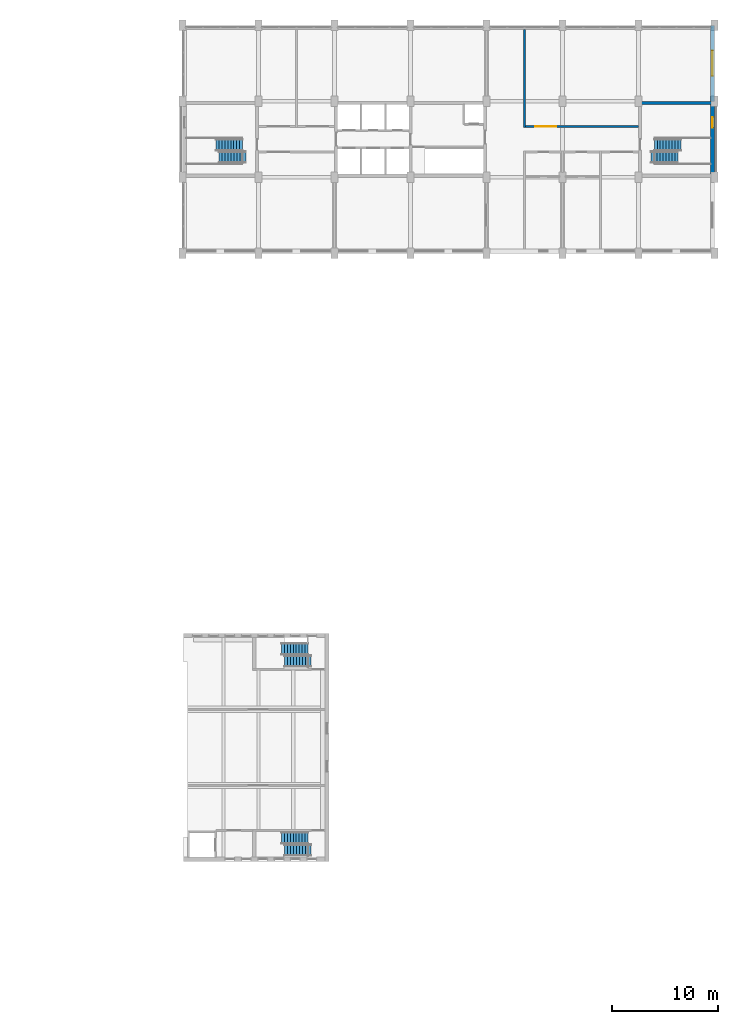
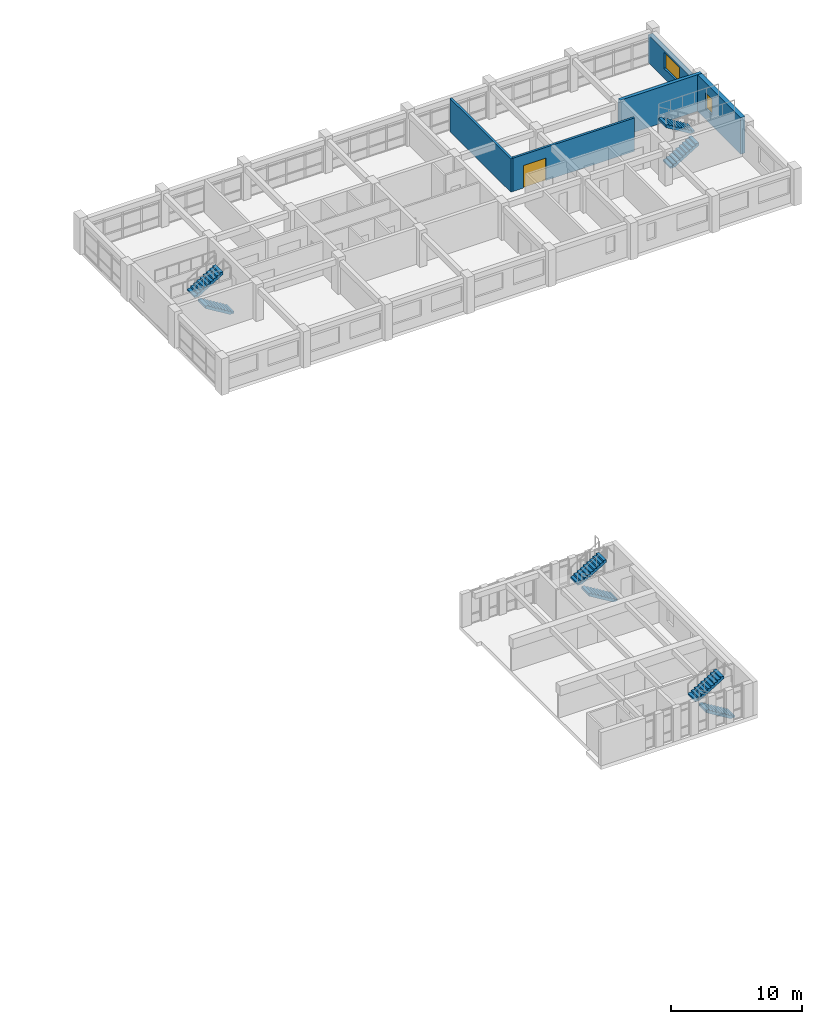
# One storey, part 17 of 19: 8 stair flights, 5 walls, 2 windows, 1 door, 3 openings, 4 elements without a shape of their own.
"""IFC4 building model written with IfcOpenShell, lengths in metres."""

from ifc_helpers import new_model, si_unit, direction, frame, frame_2d, origin, place, context, subcontext, project, spatial, polyline, rectangle, outline, extrude, material, layer, layer_set, type_object, element, fill, aggregate, save


model = new_model("IFC4")

# Units and contexts
model_context = context("Model", 3, precision=1e-05, world=origin(), true_north=direction((0.0, 1.0)))
body_context = subcontext(model_context, "Body", "Model", "MODEL_VIEW")
ifc_project = project(units=[si_unit("LENGTHUNIT", "METRE"), si_unit("AREAUNIT", "SQUARE_METRE"), si_unit("VOLUMEUNIT", "CUBIC_METRE"), si_unit("PLANEANGLEUNIT", "RADIAN"), si_unit("MASSUNIT", "GRAM", prefix="KILO")], contexts=[model_context])

# Site, building, storey
site_placement = place(None, origin())
site = spatial("IfcSite", under=ifc_project, at=site_placement, CompositionType="ELEMENT")
building_placement = place(site_placement, origin())
building = spatial("IfcBuilding", under=site, at=building_placement, Name="Vermilion Court Aquatics Centre", CompositionType="ELEMENT")
storey_placement = place(building_placement, frame((0.0, 0.0, 19.89990234375)))
storey = spatial("IfcBuildingStorey", under=building, at=storey_placement, Name="L04", CompositionType="ELEMENT", Elevation=19.89990234375)

# Wall, opening, window
ifc_material_1 = material(Name="Brick masonry", Category="masonry")
ifc_layer_1 = layer(ifc_material_1, 0.39990234375)
ifc_layer_set_1 = layer_set([ifc_layer_1], Name="North block brick facade wall 400")
wall_type_1 = type_object("IfcWallType", Name="North block brick facade wall 400", PredefinedType="SOLIDWALL", material=ifc_layer_set_1)
wall_1_placement = place(storey_placement, frame((194.199951171875, 108.0, 0.0), z_axis=(0.0, 0.0, 1.0), x_axis=(0.0, 1.0, 0.0)))
wall_1 = element("IfcWall", 1, at=wall_1_placement, inside=storey, type_object=wall_type_1, Name="Brick facade wall E2 L04", PredefinedType="SOLIDWALL", context=body_context, shape_type="SweptSolid", body=[
    extrude(rectangle(XDim=7.199951171875, YDim=0.39990234375, at=frame_2d((3.60009765625, 0.0))), origin(), (0.0, 0.0, 1.0), 2.60009765625),
])
opening_1_placement = place(wall_1_placement, frame((2.39990234375, 0.0, 0.89990234375)))
opening_1 = element("IfcOpeningElement", 2, at=opening_1_placement, cuts=wall_1, Name="Opening UWN3", PredefinedType="OPENING", context=body_context, shape_type="SweptSolid", body=[
    extrude(rectangle(XDim=2.39990234375, YDim=1.5, at=frame_2d((1.199951171875, 0.75))), frame((0.0, 0.2099609375, 0.0), z_axis=(0.0, -1.0, 0.0), x_axis=(1.0, 0.0, 0.0)), (0.0, 0.0, 1.0), 0.419921875),
])
ifc_material_2 = material(Name="Aluminium 6063-T5", Category="aluminium")
window_type_1 = type_object("IfcWindowType", Name="North block corner window 2400x1500", PartitioningType="DOUBLE_PANEL_VERTICAL", PredefinedType="WINDOW", material=ifc_material_2)
window_1_placement = place(opening_1_placement, origin())
window_1 = element("IfcWindow", 3, at=window_1_placement, inside=storey, type_object=window_type_1, Name="End window NE", OverallHeight=1.5, OverallWidth=2.39990234375, PartitioningType="DOUBLE_PANEL_VERTICAL", PredefinedType="WINDOW", context=body_context, shape_type="SweptSolid", body=[
    extrude(rectangle(XDim=2.39990234375, YDim=1.5, at=frame_2d((1.199951171875, 0.75))), frame((0.0, 0.030029296875, 0.0), z_axis=(0.0, -1.0, 0.0), x_axis=(1.0, 0.0, 0.0)), (0.0, 0.0, 1.0), 0.06005859375),
])
fill(opening_1, window_1)

ifc_material_3 = material(Name="Concrete 8000 psi", Category="concrete")
ifc_layer_2 = layer(ifc_material_3, 0.39990234375)
ifc_layer_set_2 = layer_set([ifc_layer_2], Name="North block core brick-faced shear wall 400")
wall_type_2 = type_object("IfcWallType", Name="North block core brick-faced shear wall 400", PredefinedType="SHEAR", material=ifc_layer_set_2)
wall_2_placement = place(storey_placement, frame((194.199951171875, 101.10009765625, 0.0), z_axis=(0.0, 0.0, 1.0), x_axis=(0.0, 1.0, 0.0)))
wall_2 = element("IfcWall", 4, at=wall_2_placement, inside=storey, type_object=wall_type_2, Name="Stair 2 shear wall outer L04", PredefinedType="SHEAR", context=body_context, shape_type="SweptSolid", body=[
    extrude(rectangle(XDim=6.599853515625, YDim=0.39990234375, at=frame_2d((3.2998046875, 0.0))), origin(), (0.0, 0.0, 1.0), 3.400146484375),
])
opening_2_placement = place(wall_2_placement, frame((4.39990234375, 0.0, 1.0)))
opening_2 = element("IfcOpeningElement", 5, at=opening_2_placement, cuts=wall_2, Name="Opening UWN5", PredefinedType="OPENING", context=body_context, shape_type="SweptSolid", body=[
    extrude(rectangle(XDim=1.0, YDim=1.5, at=frame_2d((0.5, 0.75))), frame((0.0, 0.2099609375, 0.0), z_axis=(0.0, -1.0, 0.0), x_axis=(1.0, 0.0, 0.0)), (0.0, 0.0, 1.0), 0.419921875),
])
ifc_material_4 = material(Name="Aluminium 6063-T5", Category="aluminium")
window_type_2 = type_object("IfcWindowType", Name="North block stair window 1000x1500", PartitioningType="SINGLE_PANEL", PredefinedType="WINDOW", material=ifc_material_4)
window_2_placement = place(opening_2_placement, origin())
window_2 = element("IfcWindow", 6, at=window_2_placement, inside=storey, type_object=window_type_2, Name="Stair 2 window", OverallHeight=1.5, OverallWidth=1.0, PartitioningType="SINGLE_PANEL", PredefinedType="WINDOW", context=body_context, shape_type="SweptSolid", body=[
    extrude(rectangle(XDim=1.0, YDim=1.5, at=frame_2d((0.5, 0.75))), frame((0.0, 0.030029296875, 0.0), z_axis=(0.0, -1.0, 0.0), x_axis=(1.0, 0.0, 0.0)), (0.0, 0.0, 1.0), 0.06005859375),
])
fill(opening_2, window_2)

# Walls
ifc_material_5 = material(Name="Concrete 8000 psi", Category="concrete")
ifc_layer_3 = layer(ifc_material_5, 0.300048828125)
ifc_layer_set_3 = layer_set([ifc_layer_3], Name="North block core shear wall 300")
wall_type_3 = type_object("IfcWallType", Name="North block core shear wall 300", PredefinedType="SHEAR", material=ifc_layer_set_3)
wall_3_placement = place(storey_placement, frame((194.39990234375, 107.85009765625, 0.0), z_axis=(0.0, 0.0, 1.0), x_axis=(-1.0, 0.0, 0.0)))
element("IfcWall", 7, at=wall_3_placement, inside=storey, type_object=wall_type_3, Name="Stair 2 shear wall north L04", PredefinedType="SHEAR", context=body_context, shape_type="SweptSolid", body=[
    extrude(rectangle(XDim=7.199951171875, YDim=0.300048828125, at=frame_2d((3.60009765625, 0.0))), origin(), (0.0, 0.0, 1.0), 3.400146484375),
])
ifc_material_6 = material(Name="Concrete masonry ASTM C90 Type I", Category="masonry")
ifc_layer_4 = layer(ifc_material_6, 0.199951171875)
ifc_layer_set_4 = layer_set([ifc_layer_4], Name="North block party wall 200")
wall_type_4 = type_object("IfcWallType", Name="North block party wall 200", PredefinedType="PARTITIONING", material=ifc_layer_set_4)
wall_4_placement = place(storey_placement, frame((176.39990234375, 105.5, 0.0), z_axis=(0.0, 0.0, 1.0), x_axis=(0.0, 1.0, 0.0)))
element("IfcWall", 8, at=wall_4_placement, inside=storey, type_object=wall_type_4, Name="Party wall n 9", PredefinedType="PARTITIONING", context=body_context, shape_type="SweptSolid", body=[
    extrude(rectangle(XDim=9.300048828125, YDim=0.199951171875, at=frame_2d((4.64990234375, 0.0))), origin(), (0.0, 0.0, 1.0), 3.10009765625),
])

# Wall, opening, door
wall_5_placement = place(storey_placement, frame((176.5, 105.60009765625, 0.0), z_axis=(0.0, 0.0, 1.0), x_axis=(1.0, 0.0, 0.0)))
wall_5 = element("IfcWall", 9, at=wall_5_placement, inside=storey, type_object=wall_type_4, Name="Corridor wall 0410", PredefinedType="PARTITIONING", context=body_context, shape_type="SweptSolid", body=[
    extrude(rectangle(XDim=10.699951171875, YDim=0.199951171875, at=frame_2d((5.35009765625, 0.0))), origin(), (0.0, 0.0, 1.0), 3.10009765625),
])
opening_3_placement = place(wall_5_placement, frame((0.89990234375, 0.0, 0.0)))
opening_3 = element("IfcOpeningElement", 10, at=opening_3_placement, cuts=wall_5, Name="Opening U04-010", PredefinedType="OPENING", context=body_context, shape_type="SweptSolid", body=[
    extrude(rectangle(XDim=2.0, YDim=2.10009765625, at=frame_2d((1.0, 1.050048828125))), frame((0.0, 0.10986328125, 0.0), z_axis=(0.0, -1.0, 0.0), x_axis=(1.0, 0.0, 0.0)), (0.0, 0.0, 1.0), 0.219970703125),
])
ifc_material_7 = material(Name="Timber door leaf", Category="wood")
door_type = type_object("IfcDoorType", Name="North block hall double door 2000x2100", OperationType="DOUBLE_DOOR_SINGLE_SWING", PredefinedType="DOOR", material=ifc_material_7)
door_placement = place(opening_3_placement, frame((2.0, 0.0, 0.0), z_axis=(0.0, 0.0, 1.0), x_axis=(-1.0, 0.0, 0.0)))
door = element("IfcDoor", 11, at=door_placement, inside=storey, type_object=door_type, Name="Movement Studio door 0410", OperationType="DOUBLE_DOOR_SINGLE_SWING", OverallHeight=2.10009765625, OverallWidth=2.0, PredefinedType="DOOR", context=body_context, shape_type="SweptSolid", body=[
    extrude(rectangle(XDim=2.0, YDim=2.10009765625, at=frame_2d((1.0, 1.050048828125))), frame((0.0, 0.025146484375, 0.0), z_axis=(0.0, -1.0, 0.0), x_axis=(1.0, 0.0, 0.0)), (0.0, 0.0, 1.0), 0.050048828125),
])
fill(opening_3, door)

# Stair, stair flights
ifc_material_8 = material(Name="Concrete 5000 psi", Category="concrete")
stair_type_1 = type_object("IfcStairType", Name="Diving Tower stair 1130", PredefinedType="HALF_TURN_STAIR", material=ifc_material_8)
stair_1_placement = place(storey_placement, origin())
stair_1 = element("IfcStair", 12, at=stair_1_placement, inside=storey, type_object=stair_type_1, Name="Exit stair ST-D1 L04", PredefinedType="HALF_TURN_STAIR")
ifc_material_9 = material(Name="Concrete 5000 psi", Category="concrete")
stair_flight_type_1 = type_object("IfcStairFlightType", Name="Diving Tower stair flight 1130", PredefinedType="STRAIGHT", material=ifc_material_9)
stair_flight_1_placement = place(storey_placement, frame((156.199951171875, 37.06494140625, 0.0), z_axis=(0.0, 0.0, 1.0), x_axis=(-1.0, 0.0, 0.0)))
stair_flight_1 = element("IfcStairFlight", 13, at=stair_flight_1_placement, type_object=stair_flight_type_1, Name="ST-D1 flight 1", NumberOfRisers=10, NumberOfTreads=9, PredefinedType="STRAIGHT", RiserHeight=0.17, TreadLength=0.28, context=body_context, shape_type="SweptSolid", body=[
    extrude(outline(polyline([(0.0, 0.0), (0.0, 0.169921875), (0.280029296875, 0.169921875), (0.280029296875, 0.340087890625), (0.56005859375, 0.340087890625), (0.56005859375, 0.510009765625), (0.840087890625, 0.510009765625), (0.840087890625, 0.679931640625), (1.1201171875, 0.679931640625), (1.1201171875, 0.85009765625), (1.39990234375, 0.85009765625), (1.39990234375, 1.02001953125), (1.679931640625, 1.02001953125), (1.679931640625, 1.18994140625), (1.9599609375, 1.18994140625), (1.9599609375, 1.360107421875), (2.239990234375, 1.360107421875), (2.239990234375, 1.530029296875), (2.52001953125, 1.530029296875), (2.52001953125, 1.699951171875), (2.52001953125, 1.296142578125), (0.38525390625, 0.0), (0.0, 0.0)])), frame((0.0, 0.56494140625, 0.0), z_axis=(0.0, -1.0, 0.0), x_axis=(1.0, 0.0, 0.0)), (0.0, 0.0, 1.0), 1.1298828125),
])
stair_flight_2_placement = place(storey_placement, frame((153.3798828125, 38.235107421875, 1.7001953125), z_axis=(0.0, 0.0, 1.0), x_axis=(1.0, 0.0, 0.0)))
stair_flight_2 = element("IfcStairFlight", 14, at=stair_flight_2_placement, type_object=stair_flight_type_1, Name="ST-D1 flight 2", NumberOfRisers=10, NumberOfTreads=9, PredefinedType="STRAIGHT", RiserHeight=0.17, TreadLength=0.28, context=body_context, shape_type="SweptSolid", body=[
    extrude(outline(polyline([(0.0, 0.0), (0.0, 0.169921875), (0.280029296875, 0.169921875), (0.280029296875, 0.340087890625), (0.56005859375, 0.340087890625), (0.56005859375, 0.510009765625), (0.840087890625, 0.510009765625), (0.840087890625, 0.679931640625), (1.1201171875, 0.679931640625), (1.1201171875, 0.85009765625), (1.39990234375, 0.85009765625), (1.39990234375, 1.02001953125), (1.679931640625, 1.02001953125), (1.679931640625, 1.18994140625), (1.9599609375, 1.18994140625), (1.9599609375, 1.360107421875), (2.239990234375, 1.360107421875), (2.239990234375, 1.530029296875), (2.52001953125, 1.530029296875), (2.52001953125, 1.699951171875), (2.52001953125, 1.296142578125), (0.38525390625, 0.0), (0.0, 0.0)])), frame((0.0, 0.56494140625, 0.0), z_axis=(0.0, -1.0, 0.0), x_axis=(1.0, 0.0, 0.0)), (0.0, 0.0, 1.0), 1.1298828125),
])
aggregate(stair_1, [stair_flight_1, stair_flight_2])

stair_2_placement = place(storey_placement, origin())
stair_2 = element("IfcStair", 15, at=stair_2_placement, inside=storey, type_object=stair_type_1, Name="Exit stair ST-D2 L04", PredefinedType="HALF_TURN_STAIR")
stair_flight_3_placement = place(storey_placement, frame((156.199951171875, 54.965087890625, 0.0), z_axis=(0.0, 0.0, 1.0), x_axis=(-1.0, 0.0, 0.0)))
stair_flight_3 = element("IfcStairFlight", 16, at=stair_flight_3_placement, type_object=stair_flight_type_1, Name="ST-D2 flight 1", NumberOfRisers=10, NumberOfTreads=9, PredefinedType="STRAIGHT", RiserHeight=0.17, TreadLength=0.28, context=body_context, shape_type="SweptSolid", body=[
    extrude(outline(polyline([(0.0, 0.0), (0.0, 0.169921875), (0.280029296875, 0.169921875), (0.280029296875, 0.340087890625), (0.56005859375, 0.340087890625), (0.56005859375, 0.510009765625), (0.840087890625, 0.510009765625), (0.840087890625, 0.679931640625), (1.1201171875, 0.679931640625), (1.1201171875, 0.85009765625), (1.39990234375, 0.85009765625), (1.39990234375, 1.02001953125), (1.679931640625, 1.02001953125), (1.679931640625, 1.18994140625), (1.9599609375, 1.18994140625), (1.9599609375, 1.360107421875), (2.239990234375, 1.360107421875), (2.239990234375, 1.530029296875), (2.52001953125, 1.530029296875), (2.52001953125, 1.699951171875), (2.52001953125, 1.296142578125), (0.38525390625, 0.0), (0.0, 0.0)])), frame((0.0, 0.56494140625, 0.0), z_axis=(0.0, -1.0, 0.0), x_axis=(1.0, 0.0, 0.0)), (0.0, 0.0, 1.0), 1.1298828125),
])
stair_flight_4_placement = place(storey_placement, frame((153.3798828125, 56.135009765625, 1.7001953125), z_axis=(0.0, 0.0, 1.0), x_axis=(1.0, 0.0, 0.0)))
stair_flight_4 = element("IfcStairFlight", 17, at=stair_flight_4_placement, type_object=stair_flight_type_1, Name="ST-D2 flight 2", NumberOfRisers=10, NumberOfTreads=9, PredefinedType="STRAIGHT", RiserHeight=0.17, TreadLength=0.28, context=body_context, shape_type="SweptSolid", body=[
    extrude(outline(polyline([(0.0, 0.0), (0.0, 0.169921875), (0.280029296875, 0.169921875), (0.280029296875, 0.340087890625), (0.56005859375, 0.340087890625), (0.56005859375, 0.510009765625), (0.840087890625, 0.510009765625), (0.840087890625, 0.679931640625), (1.1201171875, 0.679931640625), (1.1201171875, 0.85009765625), (1.39990234375, 0.85009765625), (1.39990234375, 1.02001953125), (1.679931640625, 1.02001953125), (1.679931640625, 1.18994140625), (1.9599609375, 1.18994140625), (1.9599609375, 1.360107421875), (2.239990234375, 1.360107421875), (2.239990234375, 1.530029296875), (2.52001953125, 1.530029296875), (2.52001953125, 1.699951171875), (2.52001953125, 1.296142578125), (0.38525390625, 0.0), (0.0, 0.0)])), frame((0.0, 0.56494140625, 0.0), z_axis=(0.0, -1.0, 0.0), x_axis=(1.0, 0.0, 0.0)), (0.0, 0.0, 1.0), 1.1298828125),
])
aggregate(stair_2, [stair_flight_3, stair_flight_4])

ifc_material_10 = material(Name="Concrete 5000 psi", Category="concrete")
stair_type_2 = type_object("IfcStairType", Name="North block exit stair 1130", PredefinedType="HALF_TURN_STAIR", material=ifc_material_10)
stair_3_placement = place(storey_placement, origin())
stair_3 = element("IfcStair", 18, at=stair_3_placement, inside=storey, type_object=stair_type_2, Name="Exit stair ST-T1 L04", PredefinedType="HALF_TURN_STAIR")
ifc_material_11 = material(Name="Concrete 5000 psi", Category="concrete")
stair_flight_type_2 = type_object("IfcStairFlightType", Name="North block stair flight 1130", PredefinedType="STRAIGHT", material=ifc_material_11)
stair_flight_5_placement = place(storey_placement, frame((150.0, 102.695068359375, 0.0), z_axis=(0.0, 0.0, 1.0), x_axis=(-1.0, 0.0, 0.0)))
stair_flight_5 = element("IfcStairFlight", 19, at=stair_flight_5_placement, type_object=stair_flight_type_2, Name="ST-T1 flight 1", NumberOfRisers=10, NumberOfTreads=9, PredefinedType="STRAIGHT", RiserHeight=0.17, TreadLength=0.28, context=body_context, shape_type="SweptSolid", body=[
    extrude(outline(polyline([(0.0, 0.0), (0.0, 0.169921875), (0.280029296875, 0.169921875), (0.280029296875, 0.340087890625), (0.56005859375, 0.340087890625), (0.56005859375, 0.510009765625), (0.840087890625, 0.510009765625), (0.840087890625, 0.679931640625), (1.1201171875, 0.679931640625), (1.1201171875, 0.85009765625), (1.39990234375, 0.85009765625), (1.39990234375, 1.02001953125), (1.679931640625, 1.02001953125), (1.679931640625, 1.18994140625), (1.9599609375, 1.18994140625), (1.9599609375, 1.360107421875), (2.239990234375, 1.360107421875), (2.239990234375, 1.530029296875), (2.52001953125, 1.530029296875), (2.52001953125, 1.699951171875), (2.52001953125, 1.296142578125), (0.38525390625, 0.0), (0.0, 0.0)])), frame((0.0, 0.56494140625, 0.0), z_axis=(0.0, -1.0, 0.0), x_axis=(1.0, 0.0, 0.0)), (0.0, 0.0, 1.0), 1.1298828125),
])
stair_flight_6_placement = place(storey_placement, frame((147.179931640625, 103.864990234375, 1.7001953125), z_axis=(0.0, 0.0, 1.0), x_axis=(1.0, 0.0, 0.0)))
stair_flight_6 = element("IfcStairFlight", 20, at=stair_flight_6_placement, type_object=stair_flight_type_2, Name="ST-T1 flight 2", NumberOfRisers=10, NumberOfTreads=9, PredefinedType="STRAIGHT", RiserHeight=0.17, TreadLength=0.28, context=body_context, shape_type="SweptSolid", body=[
    extrude(outline(polyline([(0.0, 0.0), (0.0, 0.169921875), (0.280029296875, 0.169921875), (0.280029296875, 0.340087890625), (0.56005859375, 0.340087890625), (0.56005859375, 0.510009765625), (0.840087890625, 0.510009765625), (0.840087890625, 0.679931640625), (1.1201171875, 0.679931640625), (1.1201171875, 0.85009765625), (1.39990234375, 0.85009765625), (1.39990234375, 1.02001953125), (1.679931640625, 1.02001953125), (1.679931640625, 1.18994140625), (1.9599609375, 1.18994140625), (1.9599609375, 1.360107421875), (2.239990234375, 1.360107421875), (2.239990234375, 1.530029296875), (2.52001953125, 1.530029296875), (2.52001953125, 1.699951171875), (2.52001953125, 1.296142578125), (0.38525390625, 0.0), (0.0, 0.0)])), frame((0.0, 0.56494140625, 0.0), z_axis=(0.0, -1.0, 0.0), x_axis=(1.0, 0.0, 0.0)), (0.0, 0.0, 1.0), 1.1298828125),
])
aggregate(stair_3, [stair_flight_5, stair_flight_6])

stair_4_placement = place(storey_placement, origin())
stair_4 = element("IfcStair", 21, at=stair_4_placement, inside=storey, type_object=stair_type_2, Name="Exit stair ST-T2 L04", PredefinedType="HALF_TURN_STAIR")
stair_flight_7_placement = place(storey_placement, frame((188.39990234375, 102.695068359375, 0.0), z_axis=(0.0, 0.0, 1.0), x_axis=(1.0, 0.0, 0.0)))
stair_flight_7 = element("IfcStairFlight", 22, at=stair_flight_7_placement, type_object=stair_flight_type_2, Name="ST-T2 flight 1", NumberOfRisers=10, NumberOfTreads=9, PredefinedType="STRAIGHT", RiserHeight=0.17, TreadLength=0.28, context=body_context, shape_type="SweptSolid", body=[
    extrude(outline(polyline([(0.0, 0.0), (0.0, 0.169921875), (0.280029296875, 0.169921875), (0.280029296875, 0.340087890625), (0.56005859375, 0.340087890625), (0.56005859375, 0.510009765625), (0.840087890625, 0.510009765625), (0.840087890625, 0.679931640625), (1.1201171875, 0.679931640625), (1.1201171875, 0.85009765625), (1.39990234375, 0.85009765625), (1.39990234375, 1.02001953125), (1.679931640625, 1.02001953125), (1.679931640625, 1.18994140625), (1.9599609375, 1.18994140625), (1.9599609375, 1.360107421875), (2.239990234375, 1.360107421875), (2.239990234375, 1.530029296875), (2.52001953125, 1.530029296875), (2.52001953125, 1.699951171875), (2.52001953125, 1.296142578125), (0.38525390625, 0.0), (0.0, 0.0)])), frame((0.0, 0.56494140625, 0.0), z_axis=(0.0, -1.0, 0.0), x_axis=(1.0, 0.0, 0.0)), (0.0, 0.0, 1.0), 1.1298828125),
])
stair_flight_8_placement = place(storey_placement, frame((191.219970703125, 103.864990234375, 1.7001953125), z_axis=(0.0, 0.0, 1.0), x_axis=(-1.0, 0.0, 0.0)))
stair_flight_8 = element("IfcStairFlight", 23, at=stair_flight_8_placement, type_object=stair_flight_type_2, Name="ST-T2 flight 2", NumberOfRisers=10, NumberOfTreads=9, PredefinedType="STRAIGHT", RiserHeight=0.17, TreadLength=0.28, context=body_context, shape_type="SweptSolid", body=[
    extrude(outline(polyline([(0.0, 0.0), (0.0, 0.169921875), (0.280029296875, 0.169921875), (0.280029296875, 0.340087890625), (0.56005859375, 0.340087890625), (0.56005859375, 0.510009765625), (0.840087890625, 0.510009765625), (0.840087890625, 0.679931640625), (1.1201171875, 0.679931640625), (1.1201171875, 0.85009765625), (1.39990234375, 0.85009765625), (1.39990234375, 1.02001953125), (1.679931640625, 1.02001953125), (1.679931640625, 1.18994140625), (1.9599609375, 1.18994140625), (1.9599609375, 1.360107421875), (2.239990234375, 1.360107421875), (2.239990234375, 1.530029296875), (2.52001953125, 1.530029296875), (2.52001953125, 1.699951171875), (2.52001953125, 1.296142578125), (0.38525390625, 0.0), (0.0, 0.0)])), frame((0.0, 0.56494140625, 0.0), z_axis=(0.0, -1.0, 0.0), x_axis=(1.0, 0.0, 0.0)), (0.0, 0.0, 1.0), 1.1298828125),
])
aggregate(stair_4, [stair_flight_7, stair_flight_8])

save(model, "model.ifc")
